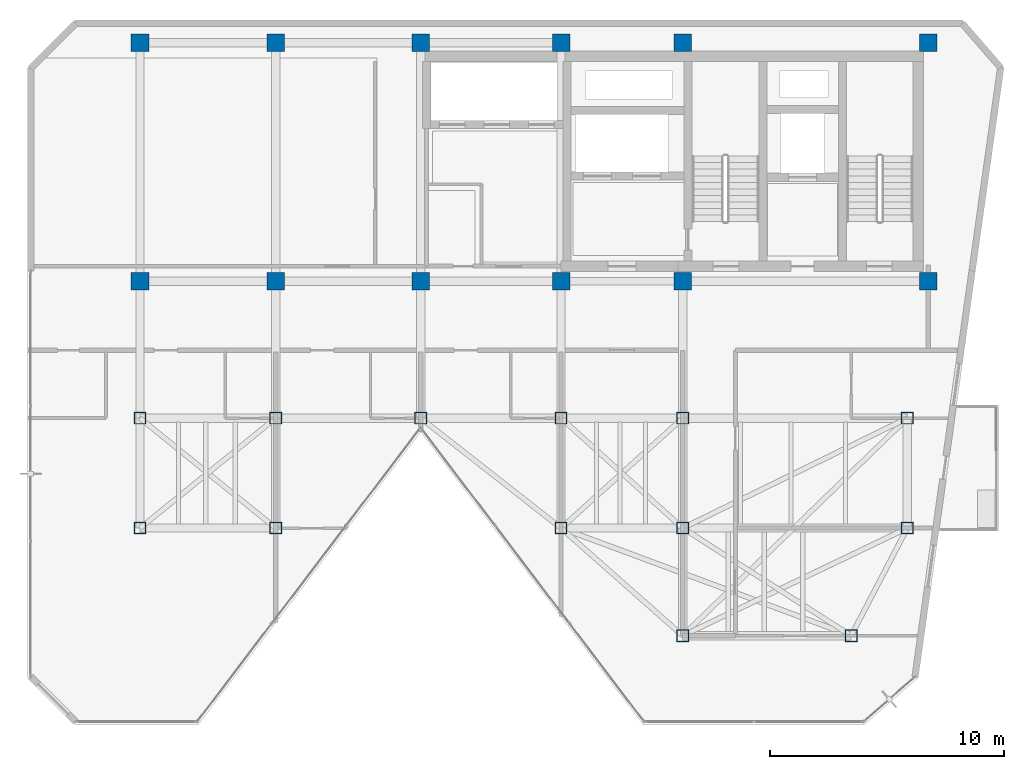
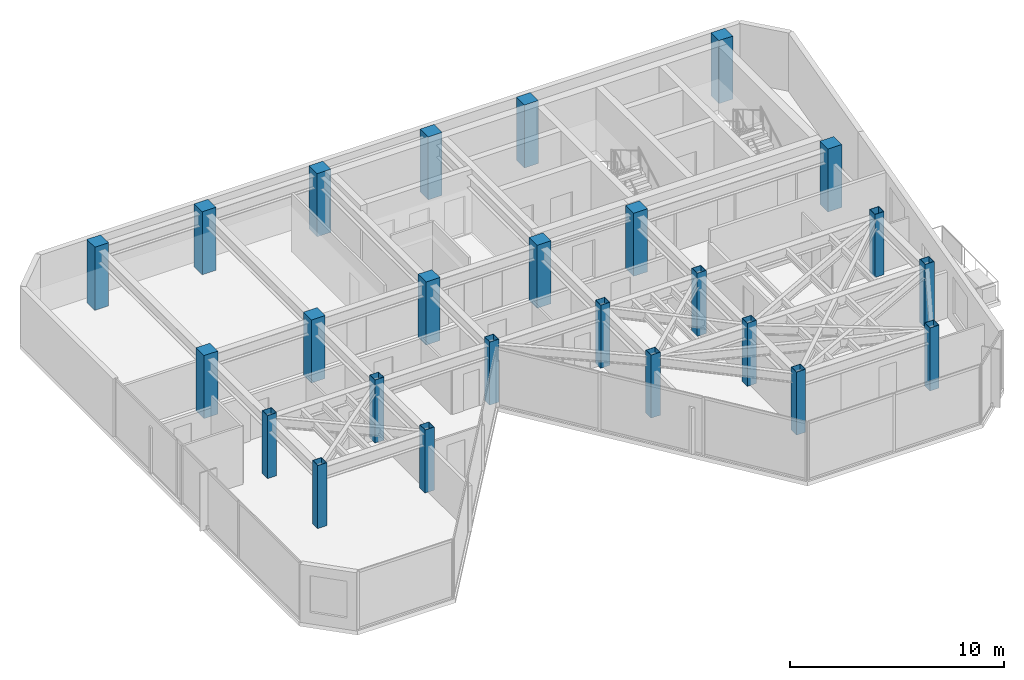
# One storey, part 1 of 19: 25 columns.
"""IFC4 building model written with IfcOpenShell, lengths in metres."""

from ifc_helpers import new_model, si_unit, direction, frame, origin, origin_2d, place, context, subcontext, project, spatial, rectangle, hollow_rectangle, extrude, material, material_profile, profile_set, type_object, element, save


model = new_model("IFC4")

# Units and contexts
model_context = context("Model", 3, precision=1e-05, world=origin(), true_north=direction((0.0, 1.0)))
body_context = subcontext(model_context, "Body", "Model", "MODEL_VIEW")
ifc_project = project(units=[si_unit("LENGTHUNIT", "METRE"), si_unit("AREAUNIT", "SQUARE_METRE"), si_unit("VOLUMEUNIT", "CUBIC_METRE"), si_unit("PLANEANGLEUNIT", "RADIAN"), si_unit("MASSUNIT", "GRAM", prefix="KILO")], contexts=[model_context])

# Site, building, storey
site_placement = place(None, origin())
site = spatial("IfcSite", under=ifc_project, at=site_placement, CompositionType="ELEMENT")
building_placement = place(site_placement, origin())
building = spatial("IfcBuilding", under=site, at=building_placement, Name="Kravanh Interchange Tower", CompositionType="ELEMENT")
storey_placement = place(building_placement, frame((0.0, 0.0, 274.199951171875)))
storey = spatial("IfcBuildingStorey", under=building, at=storey_placement, Name="L67", CompositionType="ELEMENT", Elevation=274.199951171875)

# Columns
ifc_material_1 = material(Name="Structural Steel S355", Category="steel")
ifc_material_profile_1 = material_profile(ifc_material_1, hollow_rectangle(XDim=0.5, YDim=0.5, WallThickness=0.02001953125, at=origin_2d()), Name="HSS500X500X20")
ifc_profile_set_1 = profile_set([ifc_material_profile_1], Name="Structural Steel S355")
column_type_1 = type_object("IfcColumnType", Name="Column HSS500X500X20 Structural Steel S355", PredefinedType="COLUMN", material=ifc_profile_set_1)
for number, where, z_axis, x_axis, name in (
    (1, (44.800048828125, 31.5, 0.0), (0.0, 0.0, 1.0), (1.0, 0.0, 0.0), "L67 Column CH_E1"),
    (2, (50.800048828125, 31.5, 0.0), (0.0, 0.0, 1.0), (1.0, 0.0, 0.0), "L67 Column CH_E2"),
    (3, (56.0, 31.5, 0.0), (0.0, 0.0, 1.0), (1.0, 0.0, 0.0), "L67 Column CH_E3"),
    (4, (65.60009765625, 31.5, 0.0), (0.0, 0.0, 1.0), (1.0, 0.0, 0.0), "L67 Column CH_E4"),
    (5, (38.60009765625, 31.5, 0.0), (0.0, 0.0, 1.0), (1.0, 0.0, 0.0), "L67 Column CH_E5"),
    (6, (32.800048828125, 31.5, 0.0), (0.0, 0.0, 1.0), (1.0, 0.0, 0.0), "L67 Column CH_E6"),
    (7, (38.60009765625, 26.800048828125, 0.0), (0.0, 0.0, 1.0), (1.0, 0.0, 0.0), "L67 Column CH_S1"),
    (8, (50.800048828125, 26.800048828125, 0.0), (0.0, 0.0, 1.0), (1.0, 0.0, 0.0), "L67 Column CH_S2"),
    (9, (56.0, 26.800048828125, 0.0), (0.0, 0.0, 1.0), (1.0, 0.0, 0.0), "L67 Column CH_S3"),
    (10, (65.60009765625, 26.800048828125, 0.0), (0.0, 0.0, 1.0), (1.0, 0.0, 0.0), "L67 Column CH_S4"),
    (11, (56.0, 22.199951171875, 0.0), (0.0, 0.0, 1.0), (1.0, 0.0, 0.0), "L67 Column CH_S5"),
    (12, (63.199951171875, 22.199951171875, 0.0), (0.0, 0.0, 1.0), (1.0, 0.0, 0.0), "L67 Column CH_S6"),
    (13, (32.800048828125, 26.800048828125, 0.0), (0.0, 0.0, 1.0), (1.0, 0.0, 0.0), "L67 Column CH_W3"),
):
    element("IfcColumn", number, at=place(storey_placement, frame(where, z_axis=z_axis, x_axis=x_axis)), inside=storey, type_object=column_type_1, Name=name, PredefinedType="COLUMN", context=body_context, shape_type="SweptSolid", body=[
        extrude(hollow_rectangle(XDim=0.5, YDim=0.5, WallThickness=0.02001953125, at=origin_2d()), origin(), (0.0, 0.0, 1.0), 3.60009765625),
    ])
ifc_material_2 = material(Name="Concrete C60/75", Category="concrete")
ifc_material_profile_2 = material_profile(ifc_material_2, rectangle(XDim=0.75, YDim=0.75, at=origin_2d()), Name="RC750X750")
ifc_profile_set_2 = profile_set([ifc_material_profile_2], Name="Concrete C60/75")
column_type_2 = type_object("IfcColumnType", Name="Column RC750X750 Concrete C60/75", PredefinedType="COLUMN", material=ifc_profile_set_2)
for number, where, z_axis, x_axis, name in (
    (14, (66.5, 47.550048828125, 0.0), (0.0, 0.0, 1.0), (1.0, 0.0, 0.0), "L67 Column CS01"),
    (15, (56.0, 47.550048828125, 0.0), (0.0, 0.0, 1.0), (1.0, 0.0, 0.0), "L67 Column CS02"),
    (16, (66.5, 37.35009765625, 0.0), (0.0, 0.0, 1.0), (1.0, 0.0, 0.0), "L67 Column CS03"),
    (17, (56.0, 37.35009765625, 0.0), (0.0, 0.0, 1.0), (1.0, 0.0, 0.0), "L67 Column CS04"),
    (18, (50.800048828125, 47.550048828125, 0.0), (0.0, 0.0, 1.0), (1.0, 0.0, 0.0), "L67 Column CS05"),
    (19, (50.800048828125, 37.35009765625, 0.0), (0.0, 0.0, 1.0), (1.0, 0.0, 0.0), "L67 Column CS06"),
    (20, (44.800048828125, 37.35009765625, 0.0), (0.0, 0.0, 1.0), (1.0, 0.0, 0.0), "L67 Column CS07"),
    (21, (44.800048828125, 47.550048828125, 0.0), (0.0, 0.0, 1.0), (1.0, 0.0, 0.0), "L67 Column CS08"),
    (22, (38.60009765625, 37.35009765625, 0.0), (0.0, 0.0, 1.0), (1.0, 0.0, 0.0), "L67 Column CS09"),
    (23, (38.60009765625, 47.550048828125, 0.0), (0.0, 0.0, 1.0), (1.0, 0.0, 0.0), "L67 Column CS10"),
    (24, (32.800048828125, 37.35009765625, 0.0), (0.0, 0.0, 1.0), (1.0, 0.0, 0.0), "L67 Column CS11"),
    (25, (32.800048828125, 47.550048828125, 0.0), (0.0, 0.0, 1.0), (1.0, 0.0, 0.0), "L67 Column CS12"),
):
    element("IfcColumn", number, at=place(storey_placement, frame(where, z_axis=z_axis, x_axis=x_axis)), inside=storey, type_object=column_type_2, Name=name, PredefinedType="COLUMN", context=body_context, shape_type="SweptSolid", body=[
        extrude(rectangle(XDim=0.75, YDim=0.75, at=origin_2d()), origin(), (0.0, 0.0, 1.0), 3.60009765625),
    ])

save(model, "model.ifc")
